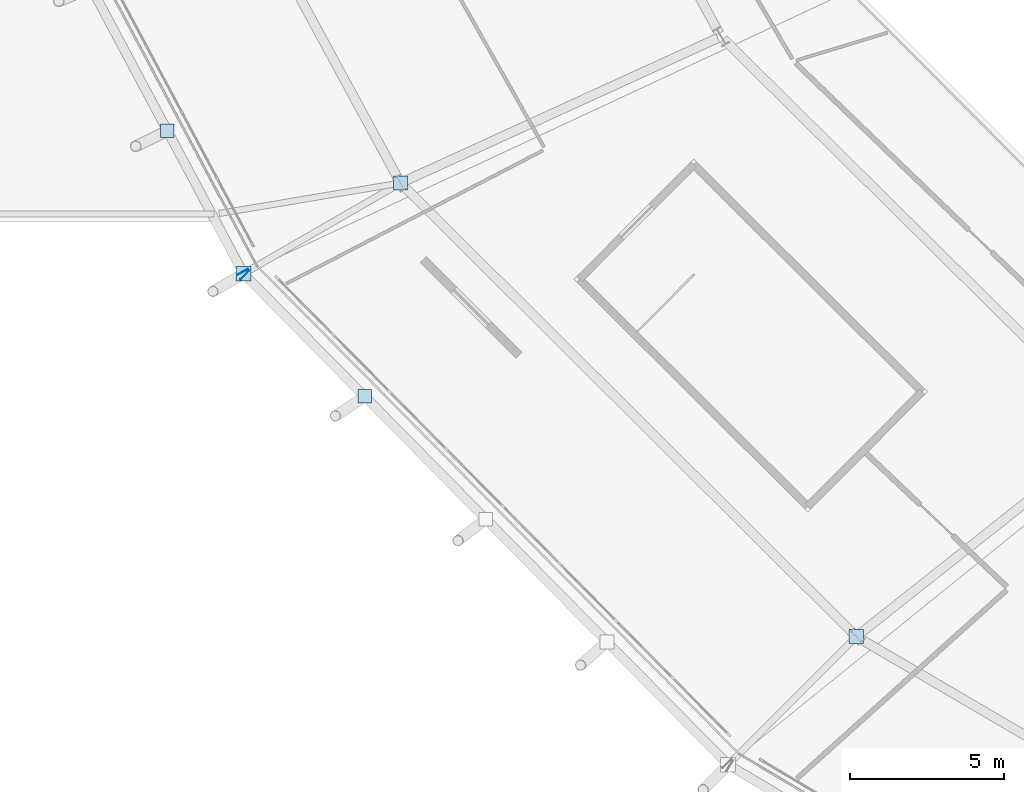
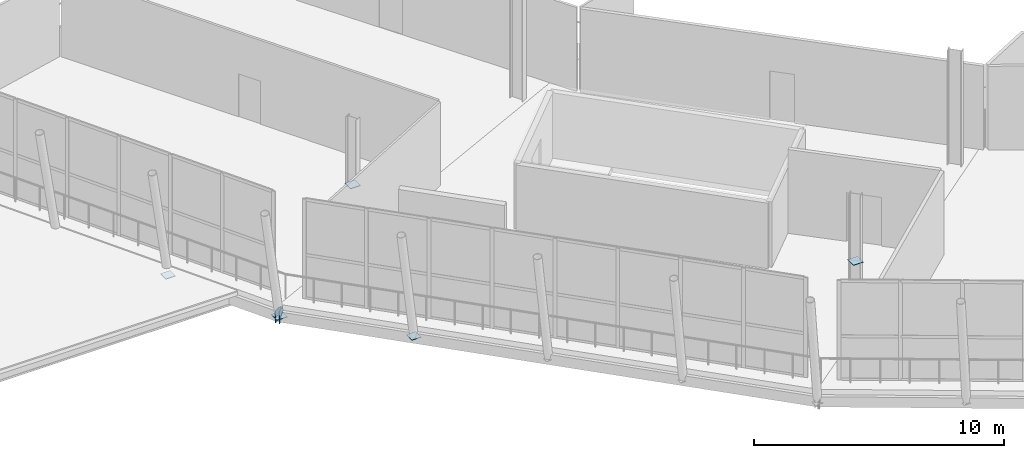
# One storey, part 64 of 99: 7 plates.
"""IFC4 building model written with IfcOpenShell, lengths in metres."""

from ifc_helpers import new_model, si_unit, direction, frame, origin, origin_2d, place, context, subcontext, project, spatial, rectangle, extrude, material, layer, layer_set, type_object, element, save


model = new_model("IFC4")

# Units and contexts
model_context = context("Model", 3, precision=1e-05, world=origin(), true_north=direction((0.0, 1.0)))
body_context = subcontext(model_context, "Body", "Model", "MODEL_VIEW")
ifc_project = project(units=[si_unit("LENGTHUNIT", "METRE"), si_unit("AREAUNIT", "SQUARE_METRE"), si_unit("VOLUMEUNIT", "CUBIC_METRE"), si_unit("PLANEANGLEUNIT", "RADIAN"), si_unit("MASSUNIT", "GRAM", prefix="KILO")], contexts=[model_context])

# Site, building, storey
site_placement = place(None, origin())
site = spatial("IfcSite", under=ifc_project, at=site_placement, CompositionType="ELEMENT")
building_placement = place(site_placement, origin())
building = spatial("IfcBuilding", under=site, at=building_placement, Name="Zlatoyarsky Gate Stadium", CompositionType="ELEMENT")
storey_placement = place(building_placement, frame((0.0, 0.0, 26.199951171875)))
storey = spatial("IfcBuildingStorey", under=building, at=storey_placement, Name="L05", CompositionType="ELEMENT", Elevation=26.199951171875)

# Plates
ifc_material = material(Name="Steel S355", Category="steel")
ifc_layer = layer(ifc_material, 0.02392578125)
ifc_layer_set = layer_set([ifc_layer], Name="Steel S355")
plate_type = type_object("IfcPlateType", Name="STEEL HOLLOW CHORD SPLICE SHEET 24", PredefinedType="SHEET", material=ifc_layer_set)
for number, where, z_axis, x_axis, name in (
    (1, (25.3408203125, 41.614013671875, -0.81005859375), (0.0, 0.0, 1.0), (0.47018795571, -0.88256630703, 0.0), "Hollow end cap ND-SP1 CAP-L05-SPD-13 B"),
    (2, (25.4111328125, 41.518310546875, -0.81005859375), (0.0, 0.0, 1.0), (0.702431198843, -0.711751649729, 0.0), "Hollow end cap ND-SP1 CAP-L05-SPD-14 A"),
):
    element("IfcPlate", number, at=place(storey_placement, frame(where, z_axis=z_axis, x_axis=x_axis)), inside=storey, type_object=plate_type, Name=name, PredefinedType="SHEET", context=body_context, shape_type="SweptSolid", body=[
        extrude(rectangle(XDim=0.02392578125, YDim=0.39990234375, at=origin_2d()), origin(), (0.0, 0.0, 1.0), 0.60009765625),
    ])
plate_placement = place(storey_placement, frame((25.369140625, 41.56103515625, -0.572021484375), z_axis=(0.0, 0.0, 1.0), x_axis=(1.0, 0.0, 0.0)))
element("IfcPlate", 3, at=plate_placement, inside=storey, type_object=plate_type, Name="Node closure plate ND-SP1 NCAP-L05-RSTR-14", PredefinedType="SHEET", context=body_context, shape_type="SweptSolid", body=[
    extrude(rectangle(XDim=0.47998046875, YDim=0.47998046875, at=origin_2d()), origin(), (0.0, 0.0, 1.0), 0.02392578125),
])
for number, where, z_axis, x_axis, name in (
    (4, (22.899658203125, 46.1962890625, -0.52197265625), (0.0, 0.0, 1.0), (1.0, 0.0, 0.0), "Node closure plate ND-SP1 NCAP-RIB-13-3-3T"),
    (5, (29.297607421875, 37.58056640625, -0.52197265625), (0.0, 0.0, 1.0), (1.0, 0.0, 0.0), "Node closure plate ND-SP1 NCAP-RIB-14-1-3T"),
):
    element("IfcPlate", number, at=place(storey_placement, frame(where, z_axis=z_axis, x_axis=x_axis)), inside=storey, type_object=plate_type, Name=name, PredefinedType="SHEET", context=body_context, shape_type="SweptSolid", body=[
        extrude(rectangle(XDim=0.43994140625, YDim=0.43994140625, at=origin_2d()), origin(), (0.0, 0.0, 1.0), 0.02392578125),
    ])
for number, where, z_axis, x_axis, name in (
    (6, (30.459716796875, 44.5, 2.2880859375), (0.0, 0.0, 1.0), (1.0, 0.0, 0.0), "Node closure plate ND-SP1 NCAP-BPROP-14"),
    (7, (45.239013671875, 29.79541015625, 2.2880859375), (0.0, 0.0, 1.0), (1.0, 0.0, 0.0), "Node closure plate ND-SP1 NCAP-BPROP-15"),
):
    element("IfcPlate", number, at=place(storey_placement, frame(where, z_axis=z_axis, x_axis=x_axis)), inside=storey, type_object=plate_type, Name=name, PredefinedType="SHEET", context=body_context, shape_type="SweptSolid", body=[
        extrude(rectangle(XDim=0.4599609375, YDim=0.4599609375, at=origin_2d()), origin(), (0.0, 0.0, 1.0), 0.02392578125),
    ])

save(model, "model.ifc")
